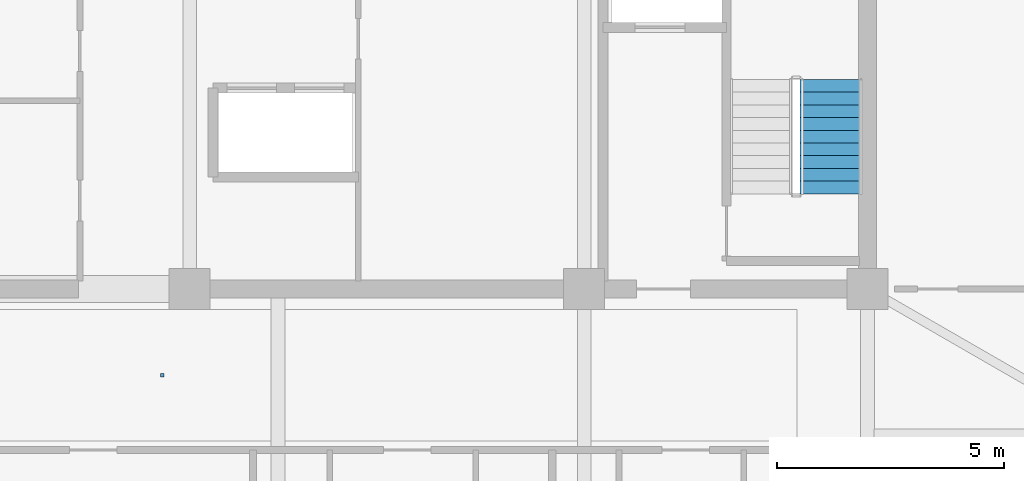
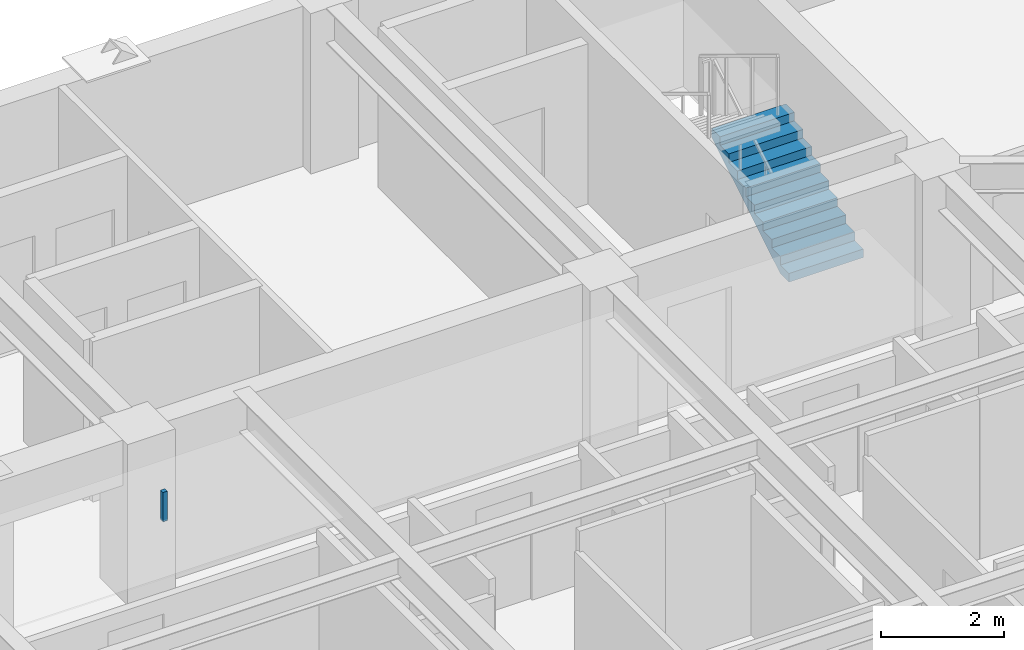
# One storey, part 12 of 18: 1 discrete accessory, 1 stair flight, 1 element without a shape of its own.
"""IFC4 building model written with IfcOpenShell, lengths in metres."""

from ifc_helpers import new_model, si_unit, direction, frame, origin, origin_2d, place, context, subcontext, project, spatial, polyline, rectangle, outline, extrude, source, transform, mapped, material, type_object, element, aggregate, save


model = new_model("IFC4")

# Units and contexts
model_context = context("Model", 3, precision=1e-05, world=origin(), true_north=direction((0.0, 1.0)))
body_context = subcontext(model_context, "Body", "Model", "MODEL_VIEW")
ifc_project = project(units=[si_unit("LENGTHUNIT", "METRE"), si_unit("AREAUNIT", "SQUARE_METRE"), si_unit("VOLUMEUNIT", "CUBIC_METRE"), si_unit("PLANEANGLEUNIT", "RADIAN"), si_unit("MASSUNIT", "GRAM", prefix="KILO")], contexts=[model_context])

# Site, building, storey
site_placement = place(None, origin())
site = spatial("IfcSite", under=ifc_project, at=site_placement, CompositionType="ELEMENT")
building_placement = place(site_placement, origin())
building = spatial("IfcBuilding", under=site, at=building_placement, Name="Giltprow Tower", CompositionType="ELEMENT")
storey_placement = place(building_placement, frame((0.0, 0.0, 262.10009765625)))
storey = spatial("IfcBuildingStorey", under=building, at=storey_placement, Name="L67", CompositionType="ELEMENT", Elevation=262.10009765625)

# Stair, stair flight
ifc_material_1 = material(Name="Concrete C40", Category="concrete")
stair_type = type_object("IfcStairType", Name="STR-ST-3", PredefinedType="HALF_TURN_STAIR", material=ifc_material_1)
stair_placement = place(storey_placement, origin())
stair = element("IfcStair", 1, at=stair_placement, inside=storey, type_object=stair_type, Name="L67 Core Exit Stair ST-3", PredefinedType="HALF_TURN_STAIR")
stair_flight_type = type_object("IfcStairFlightType", Name="SFL-ST-3", PredefinedType="STRAIGHT", material=ifc_material_1)
stair_flight_placement = place(storey_placement, frame((49.760009765625, 39.550048828125, 0.0), z_axis=(0.0, 0.0, 1.0), x_axis=(0.0, 1.0, 0.0)))
stair_flight = element("IfcStairFlight", 2, at=stair_flight_placement, type_object=stair_flight_type, Name="ST-3 flight 1", NumberOfRisers=10, NumberOfTreads=9, PredefinedType="STRAIGHT", RiserHeight=0.17, TreadLength=0.28, context=body_context, shape_type="SweptSolid", body=[
    extrude(outline(polyline([(0.0, 0.0), (0.0, 0.169921875), (0.280029296875, 0.169921875), (0.280029296875, 0.340087890625), (0.56005859375, 0.340087890625), (0.56005859375, 0.510009765625), (0.840087890625, 0.510009765625), (0.840087890625, 0.679931640625), (1.1201171875, 0.679931640625), (1.1201171875, 0.85009765625), (1.39990234375, 0.85009765625), (1.39990234375, 1.02001953125), (1.679931640625, 1.02001953125), (1.679931640625, 1.18994140625), (1.9599609375, 1.18994140625), (1.9599609375, 1.360107421875), (2.239990234375, 1.360107421875), (2.239990234375, 1.530029296875), (2.52001953125, 1.530029296875), (2.52001953125, 1.699951171875), (2.52001953125, 1.354736328125), (0.288818359375, 0.0), (0.0, 0.0)])), frame((0.0, 0.699951171875, 0.0), z_axis=(0.0, -1.0, 0.0), x_axis=(1.0, 0.0, 0.0)), (0.0, 0.0, 1.0), 1.39990234375),
])
aggregate(stair, [stair_flight])

# Discrete accessory
ifc_material_2 = material(Name="Structural steel Q355B", Category="steel")
discrete_accessory_type = type_object("IfcDiscreteAccessoryType", Name="ACC-CLG-HANGER", PredefinedType="BRACKET", material=ifc_material_2)
shared_shape = source(origin(), body_context, "Body", "SweptSolid", [
    extrude(rectangle(XDim=0.080078125, YDim=0.080078125, at=origin_2d()), origin(), (0.0, 0.0, 1.0), 0.5849609375),
])
discrete_accessory_placement = place(storey_placement, frame((35.0, 35.550048828125, 2.620361328125), z_axis=(0.0, 0.0, 1.0), x_axis=(1.0, 0.0, 0.0)))
element("IfcDiscreteAccessory", 3, at=discrete_accessory_placement, inside=storey, type_object=discrete_accessory_type, Name="L67 Residence Gallery Ceiling Suspension Hanger", PredefinedType="BRACKET", context=body_context, shape_type="MappedRepresentation", body=[
    mapped(shared_shape, transform((0.0, 0.0, 0.0), x_axis=(1.0, 0.0, 0.0), y_axis=(0.0, 1.0, 0.0), z_axis=(0.0, 0.0, 1.0), scale=1.0)),
])

save(model, "model.ifc")
